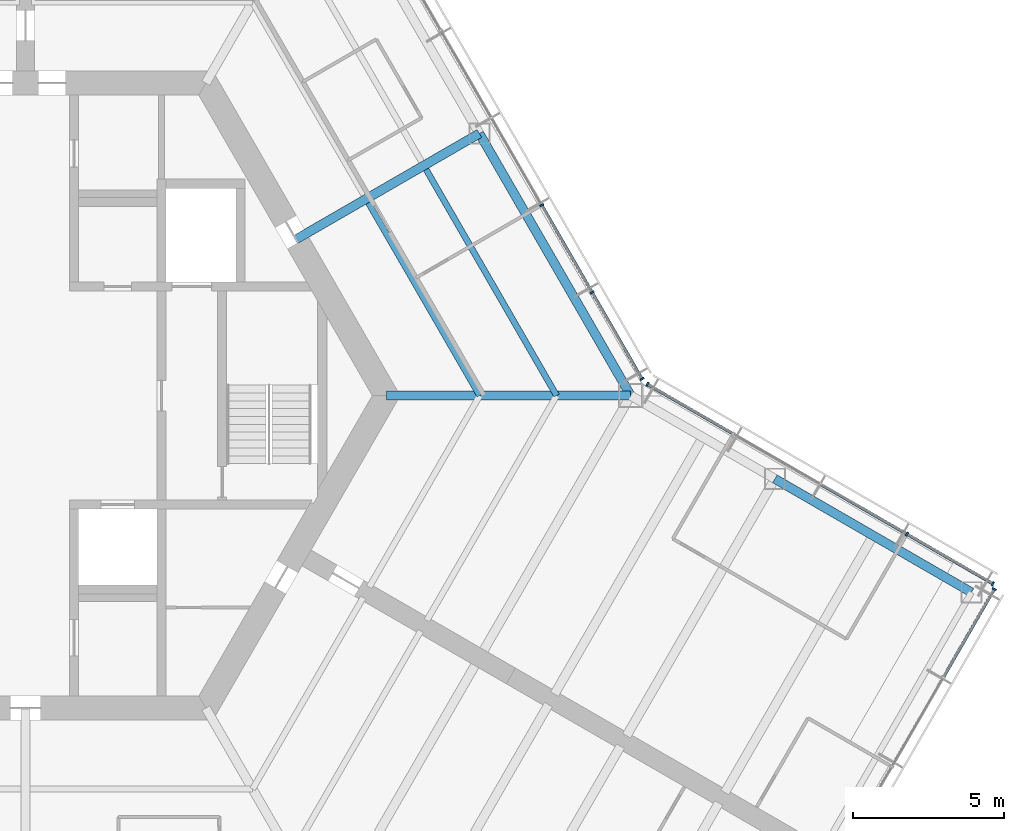
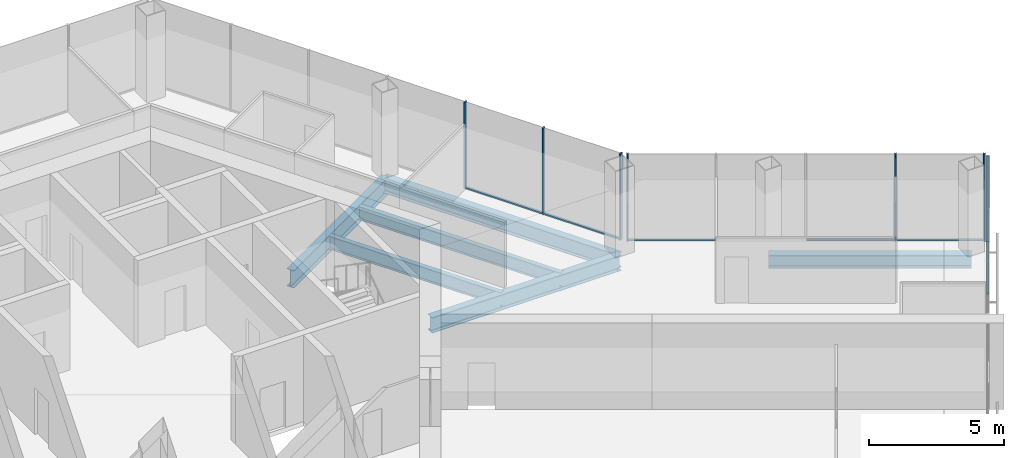
# One storey, part 5 of 16: 13 members, 6 beams, 3 elements without a shape of their own.
"""IFC4 building model written with IfcOpenShell, lengths in metres."""

from ifc_helpers import new_model, si_unit, direction, frame, origin, origin_2d, place, context, subcontext, project, spatial, rectangle, i_section, extrude, material, material_profile, profile_set, type_object, element, aggregate, save


model = new_model("IFC4")

# Units and contexts
model_context = context("Model", 3, precision=1e-05, world=origin(), true_north=direction((0.0, 1.0)))
body_context = subcontext(model_context, "Body", "Model", "MODEL_VIEW")
ifc_project = project(units=[si_unit("LENGTHUNIT", "METRE"), si_unit("AREAUNIT", "SQUARE_METRE"), si_unit("VOLUMEUNIT", "CUBIC_METRE"), si_unit("PLANEANGLEUNIT", "RADIAN"), si_unit("MASSUNIT", "GRAM", prefix="KILO")], contexts=[model_context])

# Site, building, storey
site_placement = place(None, origin())
site = spatial("IfcSite", under=ifc_project, at=site_placement, CompositionType="ELEMENT")
building_placement = place(site_placement, origin())
building = spatial("IfcBuilding", under=site, at=building_placement, Name="Kasaneha Research Tower", CompositionType="ELEMENT")
storey_placement = place(building_placement, frame((0.0, 0.0, 263.5)))
storey = spatial("IfcBuildingStorey", under=building, at=storey_placement, Name="L66", CompositionType="ELEMENT", Elevation=263.5)

# Beams
ifc_material_1 = material(Name="Steel SN490B", Category="steel")
ifc_material_profile_1 = material_profile(ifc_material_1, i_section(OverallWidth=0.199951171875, OverallDepth=0.60009765625, WebThickness=0.010986328125, FlangeThickness=0.01708984375, FilletRadius=0.012939453125, at=origin_2d()), Name="H-600x200x11x17")
ifc_profile_set_1 = profile_set([ifc_material_profile_1], Name="Steel SN490B")
beam_type_1 = type_object("IfcBeamType", Name="B1-3 secondary beam H-600x200x11x17", PredefinedType="JOIST", material=ifc_profile_set_1)
beam_1_placement = place(storey_placement, frame((15.010986328125, 0.0, -0.449951171875), z_axis=(-0.499994443168, 0.866028611999, 0.0), x_axis=(-0.866028611999, -0.499994443168, 0.0)))
element("IfcBeam", 1, at=beam_1_placement, inside=storey, type_object=beam_type_1, Name="Secondary beam RS030L1 L66", PredefinedType="JOIST", context=body_context, shape_type="SweptSolid", body=[
    extrude(i_section(OverallWidth=0.199951171875, OverallDepth=0.60009765625, WebThickness=0.010986328125, FlangeThickness=0.01708984375, FilletRadius=0.012939453125, at=origin_2d()), origin(), (0.0, 0.0, 1.0), 7.35546875),
])
beam_2_placement = place(storey_placement, frame((17.551513671875, 0.0, -0.449951171875), z_axis=(-0.5000050195, 0.866022505755, 0.0), x_axis=(-0.866022505755, -0.5000050195, 0.0)))
element("IfcBeam", 2, at=beam_2_placement, inside=storey, type_object=beam_type_1, Name="Secondary beam RS030L2 L66", PredefinedType="JOIST", context=body_context, shape_type="SweptSolid", body=[
    extrude(i_section(OverallWidth=0.199951171875, OverallDepth=0.60009765625, WebThickness=0.010986328125, FlangeThickness=0.01708984375, FilletRadius=0.012939453125, at=origin_2d()), origin(), (0.0, 0.0, 1.0), 8.6259765625),
])

# Curtain wall, members
ifc_material_2 = material(Name="Glass and aluminium", Category="aluminium")
curtain_wall_type = type_object("IfcCurtainWallType", Name="High-rise office curtain wall", PredefinedType="USERDEFINED", material=ifc_material_2)
curtain_wall_1_placement = place(storey_placement, origin())
curtain_wall_1 = element("IfcCurtainWall", 3, at=curtain_wall_1_placement, inside=storey, type_object=curtain_wall_type, Name="CW-O3 L66 run 01a", ObjectType="UNITISED CURTAIN WALL", PredefinedType="USERDEFINED")
ifc_material_3 = material(Name="Aluminium 6063-T6", Category="aluminium")
ifc_material_profile_2 = material_profile(ifc_material_3, rectangle(XDim=0.06005859375, YDim=0.139892578125, at=origin_2d()), Name="CW-O3 mullion 60x140")
ifc_profile_set_2 = profile_set([ifc_material_profile_2], Name="Aluminium 6063-T6")
member_type_1 = type_object("IfcMemberType", Name="CW-O3 mullion", PredefinedType="MULLION", material=ifc_profile_set_2)
member_1_placement = place(storey_placement, frame((20.374267578125, 0.5517578125, 0.0), z_axis=(0.0, 0.0, 1.0), x_axis=(-0.499999979232, 0.866025415775, 0.0)))
member_1 = element("IfcMember", 4, at=member_1_placement, type_object=member_type_1, Name="CW-O3 mullion 1", PredefinedType="MULLION", context=body_context, shape_type="SweptSolid", body=[
    extrude(rectangle(XDim=0.06005859375, YDim=0.139892578125, at=origin_2d()), origin(), (0.0, 0.0, 1.0), 3.89990234375),
])
member_2_placement = place(storey_placement, frame((18.723876953125, 3.410400390625, 0.0), z_axis=(0.0, 0.0, 1.0), x_axis=(-0.499999979232, 0.866025415775, 0.0)))
member_2 = element("IfcMember", 5, at=member_2_placement, type_object=member_type_1, Name="CW-O3 mullion 2", PredefinedType="MULLION", context=body_context, shape_type="SweptSolid", body=[
    extrude(rectangle(XDim=0.06005859375, YDim=0.139892578125, at=origin_2d()), origin(), (0.0, 0.0, 1.0), 3.89990234375),
])
member_3_placement = place(storey_placement, frame((17.058349609375, 6.295166015625, 0.0), z_axis=(0.0, 0.0, 1.0), x_axis=(-0.499999979232, 0.866025415775, 0.0)))
member_3 = element("IfcMember", 6, at=member_3_placement, type_object=member_type_1, Name="CW-O3 mullion 3", PredefinedType="MULLION", context=body_context, shape_type="SweptSolid", body=[
    extrude(rectangle(XDim=0.06005859375, YDim=0.139892578125, at=origin_2d()), origin(), (0.0, 0.0, 1.0), 3.89990234375),
])

# Curtain wall, member
curtain_wall_2_placement = place(storey_placement, origin())
curtain_wall_2 = element("IfcCurtainWall", 7, at=curtain_wall_2_placement, inside=storey, type_object=curtain_wall_type, Name="CW-O3 L66 run 08a", ObjectType="UNITISED CURTAIN WALL", PredefinedType="USERDEFINED")
member_4_placement = place(storey_placement, frame((32.012939453125, -6.39306640625, 0.0), z_axis=(0.0, 0.0, 1.0), x_axis=(0.500000011442, 0.866025397178, 0.0)))
member_4 = element("IfcMember", 8, at=member_4_placement, type_object=member_type_1, Name="CW-O3 mullion 4", PredefinedType="MULLION", context=body_context, shape_type="SweptSolid", body=[
    extrude(rectangle(XDim=0.06005859375, YDim=0.139892578125, at=origin_2d()), origin(), (0.0, 0.0, 1.0), 3.89990234375),
])

# Curtain wall, members
curtain_wall_3_placement = place(storey_placement, origin())
curtain_wall_3 = element("IfcCurtainWall", 9, at=curtain_wall_3_placement, inside=storey, type_object=curtain_wall_type, Name="CW-O3 L66 run 09a", ObjectType="UNITISED CURTAIN WALL", PredefinedType="USERDEFINED")
member_5_placement = place(storey_placement, frame((31.96533203125, -6.21533203125, 0.0), z_axis=(0.0, 0.0, 1.0), x_axis=(-0.866025411464, 0.499999986699, 0.0)))
member_5 = element("IfcMember", 10, at=member_5_placement, type_object=member_type_1, Name="CW-O3 mullion 1", PredefinedType="MULLION", context=body_context, shape_type="SweptSolid", body=[
    extrude(rectangle(XDim=0.06005859375, YDim=0.139892578125, at=origin_2d()), origin(), (0.0, 0.0, 1.0), 3.89990234375),
])
member_6_placement = place(storey_placement, frame((29.125, -4.575439453125, 0.0), z_axis=(0.0, 0.0, 1.0), x_axis=(-0.866025411464, 0.499999986699, 0.0)))
member_6 = element("IfcMember", 11, at=member_6_placement, type_object=member_type_1, Name="CW-O3 mullion 2", PredefinedType="MULLION", context=body_context, shape_type="SweptSolid", body=[
    extrude(rectangle(XDim=0.06005859375, YDim=0.139892578125, at=origin_2d()), origin(), (0.0, 0.0, 1.0), 3.89990234375),
])
member_7_placement = place(storey_placement, frame((20.5517578125, 0.374267578125, 0.0), z_axis=(0.0, 0.0, 1.0), x_axis=(-0.866025411464, 0.499999986699, 0.0)))
member_7 = element("IfcMember", 12, at=member_7_placement, type_object=member_type_1, Name="CW-O3 mullion 5", PredefinedType="MULLION", context=body_context, shape_type="SweptSolid", body=[
    extrude(rectangle(XDim=0.06005859375, YDim=0.139892578125, at=origin_2d()), origin(), (0.0, 0.0, 1.0), 3.89990234375),
])

# Member
ifc_material_4 = material(Name="Aluminium 6063-T6", Category="aluminium")
ifc_material_profile_3 = material_profile(ifc_material_4, rectangle(XDim=0.10009765625, YDim=0.06005859375, at=origin_2d()), Name="CW-O3 transom 100x60")
ifc_profile_set_3 = profile_set([ifc_material_profile_3], Name="Aluminium 6063-T6")
member_type_2 = type_object("IfcMemberType", Name="CW-O3 transom", PredefinedType="USERDEFINED", material=ifc_profile_set_3)
member_8_placement = place(storey_placement, frame((20.359130859375, 0.577880859375, 0.030029296875), z_axis=(-0.499987643696, 0.866032537582, 0.0), x_axis=(-0.866032537582, -0.499987643696, 0.0)))
member_8 = element("IfcMember", 13, at=member_8_placement, type_object=member_type_2, Name="CW-O3 transom 1", ObjectType="TRANSOM", PredefinedType="USERDEFINED", context=body_context, shape_type="SweptSolid", body=[
    extrude(rectangle(XDim=0.10009765625, YDim=0.06005859375, at=origin_2d()), origin(), (0.0, 0.0, 1.0), 3.24072265625),
])

member_9_placement = place(storey_placement, frame((18.708740234375, 3.4365234375, 0.030029296875), z_axis=(-0.500000270186, 0.866025247793, 0.0), x_axis=(-0.866025247793, -0.500000270186, 0.0)))
member_9 = element("IfcMember", 14, at=member_9_placement, type_object=member_type_2, Name="CW-O3 transom 2", ObjectType="TRANSOM", PredefinedType="USERDEFINED", context=body_context, shape_type="SweptSolid", body=[
    extrude(rectangle(XDim=0.10009765625, YDim=0.06005859375, at=origin_2d()), origin(), (0.0, 0.0, 1.0), 3.27099609375),
])

aggregate(curtain_wall_1, [member_1, member_2, member_3, member_8, member_9])

member_10_placement = place(storey_placement, frame((30.343017578125, -9.285400390625, 0.030029296875), z_axis=(0.500018282537, 0.866014848099, 0.0), x_axis=(-0.866014848099, 0.500018282537, 0.0)))
member_10 = element("IfcMember", 15, at=member_10_placement, type_object=member_type_2, Name="CW-O3 transom 3", ObjectType="TRANSOM", PredefinedType="USERDEFINED", context=body_context, shape_type="SweptSolid", body=[
    extrude(rectangle(XDim=0.10009765625, YDim=0.06005859375, at=origin_2d()), origin(), (0.0, 0.0, 1.0), 3.31005859375),
])

aggregate(curtain_wall_2, [member_4, member_10])

member_11_placement = place(storey_placement, frame((31.939453125, -6.200439453125, 0.030029296875), z_axis=(-0.866041647767, 0.499971863542, 0.0), x_axis=(-0.499971863542, -0.866041647767, 0.0)))
member_11 = element("IfcMember", 16, at=member_11_placement, type_object=member_type_2, Name="CW-O3 transom 1", ObjectType="TRANSOM", PredefinedType="USERDEFINED", context=body_context, shape_type="SweptSolid", body=[
    extrude(rectangle(XDim=0.10009765625, YDim=0.06005859375, at=origin_2d()), origin(), (0.0, 0.0, 1.0), 3.219970703125),
])

member_12_placement = place(storey_placement, frame((29.098876953125, -4.560546875, 0.030029296875), z_axis=(-0.86599666273, 0.500049777664, 0.0), x_axis=(-0.500049777664, -0.86599666273, 0.0)))
member_12 = element("IfcMember", 17, at=member_12_placement, type_object=member_type_2, Name="CW-O3 transom 2", ObjectType="TRANSOM", PredefinedType="USERDEFINED", context=body_context, shape_type="SweptSolid", body=[
    extrude(rectangle(XDim=0.10009765625, YDim=0.06005859375, at=origin_2d()), origin(), (0.0, 0.0, 1.0), 3.249755859375),
])

member_13_placement = place(storey_placement, frame((23.3662109375, -1.250732421875, 0.030029296875), z_axis=(-0.866022692473, 0.500004696101, 0.0), x_axis=(-0.500004696101, -0.866022692473, 0.0)))
member_13 = element("IfcMember", 18, at=member_13_placement, type_object=member_type_2, Name="CW-O3 transom 4", ObjectType="TRANSOM", PredefinedType="USERDEFINED", context=body_context, shape_type="SweptSolid", body=[
    extrude(rectangle(XDim=0.10009765625, YDim=0.06005859375, at=origin_2d()), origin(), (0.0, 0.0, 1.0), 3.2197265625),
])

aggregate(curtain_wall_3, [member_5, member_6, member_7, member_11, member_12, member_13])

# Beams
ifc_material_5 = material(Name="Steel SN490B", Category="steel")
ifc_material_profile_4 = material_profile(ifc_material_5, i_section(OverallWidth=0.300048828125, OverallDepth=0.699951171875, WebThickness=0.012939453125, FlangeThickness=0.02392578125, FilletRadius=0.01806640625, at=origin_2d()), Name="H-700x300x13x24")
ifc_profile_set_4 = profile_set([ifc_material_profile_4], Name="Steel SN490B")
beam_type_2 = type_object("IfcBeamType", Name="G1-3 radial girder H-700x300x13x24", PredefinedType="BEAM", material=ifc_profile_set_4)
beam_3_placement = place(storey_placement, frame((11.92236328125, 0.0, -0.5), z_axis=(1.0, 0.0, 0.0), x_axis=(0.0, 1.0, 0.0)))
element("IfcBeam", 19, at=beam_3_placement, inside=storey, type_object=beam_type_2, Name="Radial girder RV000 L66", PredefinedType="BEAM", context=body_context, shape_type="SweptSolid", body=[
    extrude(i_section(OverallWidth=0.300048828125, OverallDepth=0.699951171875, WebThickness=0.012939453125, FlangeThickness=0.02392578125, FilletRadius=0.01806640625, at=origin_2d()), origin(), (0.0, 0.0, 1.0), 8.07763671875),
])
ifc_material_6 = material(Name="Steel SN490B", Category="steel")
ifc_material_profile_5 = material_profile(ifc_material_6, i_section(OverallWidth=0.300048828125, OverallDepth=0.800048828125, WebThickness=0.013916015625, FlangeThickness=0.02587890625, FilletRadius=0.01806640625, at=origin_2d()), Name="H-800x300x14x26")
ifc_profile_set_5 = profile_set([ifc_material_profile_5], Name="Steel SN490B")
beam_type_3 = type_object("IfcBeamType", Name="G2-3 radial girder H-800x300x14x26", PredefinedType="BEAM", material=ifc_profile_set_5)
beam_4_placement = place(storey_placement, frame((8.941650390625, 5.16259765625, -0.550048828125), z_axis=(0.866039713508, 0.499975214012, 0.0), x_axis=(-0.499975214012, 0.866039713508, 0.0)))
element("IfcBeam", 20, at=beam_4_placement, inside=storey, type_object=beam_type_3, Name="Radial girder RM030 L66", PredefinedType="BEAM", context=body_context, shape_type="SweptSolid", body=[
    extrude(i_section(OverallWidth=0.300048828125, OverallDepth=0.800048828125, WebThickness=0.013916015625, FlangeThickness=0.02587890625, FilletRadius=0.01806640625, at=origin_2d()), origin(), (0.0, 0.0, 1.0), 6.995361328125),
])
ifc_material_7 = material(Name="Steel SN490B", Category="steel")
ifc_material_profile_6 = material_profile(ifc_material_7, i_section(OverallWidth=0.300048828125, OverallDepth=0.69189453125, WebThickness=0.012939453125, FlangeThickness=0.02001953125, FilletRadius=0.01806640625, at=origin_2d()), Name="H-692x300x13x20")
ifc_profile_set_6 = profile_set([ifc_material_profile_6], Name="Steel SN490B")
beam_type_4 = type_object("IfcBeamType", Name="SB1-3 spandrel beam H-692x300x13x20", PredefinedType="SPANDREL", material=ifc_profile_set_6)
beam_5_placement = place(storey_placement, frame((20.0, 0.0, -0.49609375), z_axis=(-0.500004234368, 0.866022959057, 0.0), x_axis=(-0.866022959057, -0.500004234368, 0.0)))
element("IfcBeam", 21, at=beam_5_placement, inside=storey, type_object=beam_type_4, Name="Spandrel beam SR030L L66", PredefinedType="SPANDREL", context=body_context, shape_type="SweptSolid", body=[
    extrude(i_section(OverallWidth=0.300048828125, OverallDepth=0.69189453125, WebThickness=0.012939453125, FlangeThickness=0.02001953125, FilletRadius=0.01806640625, at=origin_2d()), origin(), (0.0, 0.0, 1.0), 10.0),
])
ifc_material_8 = material(Name="Steel SN490B", Category="steel")
ifc_material_profile_7 = material_profile(ifc_material_8, i_section(OverallWidth=0.300048828125, OverallDepth=0.58203125, WebThickness=0.011962890625, FlangeThickness=0.01708984375, FilletRadius=0.012939453125, at=origin_2d()), Name="H-582x300x12x17")
ifc_profile_set_7 = profile_set([ifc_material_profile_7], Name="Steel SN490B")
beam_type_5 = type_object("IfcBeamType", Name="SB2-3 spandrel beam H-582x300x12x17", PredefinedType="SPANDREL", material=ifc_profile_set_7)
beam_6_placement = place(storey_placement, frame((24.76318359375, -2.75, -0.44091796875), z_axis=(0.866022959057, -0.500004234368, 0.0), x_axis=(0.500004234368, 0.866022959057, 0.0)))
element("IfcBeam", 22, at=beam_6_placement, inside=storey, type_object=beam_type_5, Name="Spandrel beam WSCN2 L66", PredefinedType="SPANDREL", context=body_context, shape_type="SweptSolid", body=[
    extrude(i_section(OverallWidth=0.300048828125, OverallDepth=0.58203125, WebThickness=0.011962890625, FlangeThickness=0.01708984375, FilletRadius=0.012939453125, at=origin_2d()), origin(), (0.0, 0.0, 1.0), 7.5),
])

save(model, "model.ifc")
